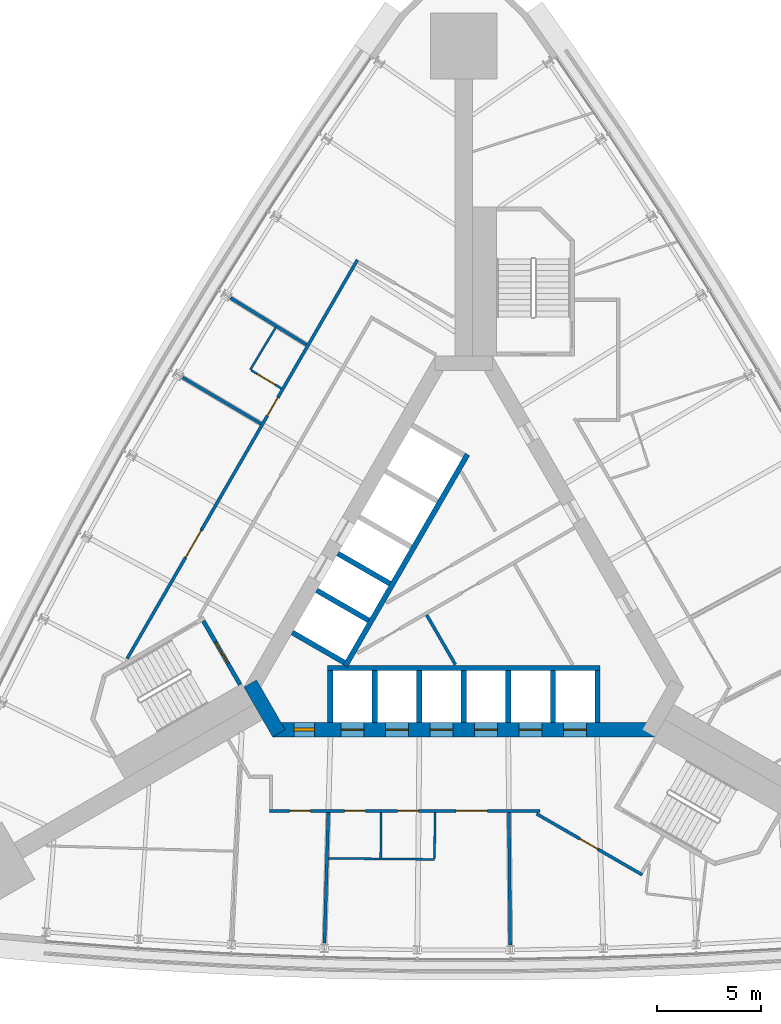
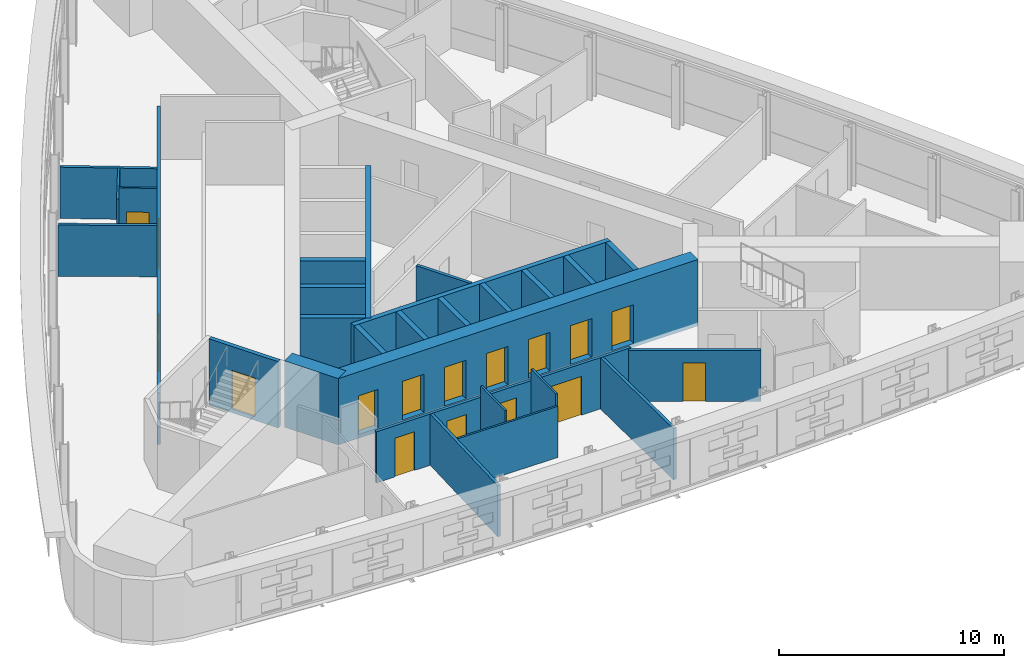
# One storey, part 9 of 14: 28 walls, 16 doors, 16 openings.
"""IFC4 building model written with IfcOpenShell, lengths in metres."""

from ifc_helpers import new_model, si_unit, direction, frame, frame_2d, origin, place, context, subcontext, project, spatial, rectangle, extrude, material, layer, layer_set, type_object, element, fill, save


model = new_model("IFC4")

# Units and contexts
model_context = context("Model", 3, precision=1e-05, world=origin(), true_north=direction((0.0, 1.0)))
body_context = subcontext(model_context, "Body", "Model", "MODEL_VIEW")
ifc_project = project(units=[si_unit("LENGTHUNIT", "METRE"), si_unit("AREAUNIT", "SQUARE_METRE"), si_unit("VOLUMEUNIT", "CUBIC_METRE"), si_unit("PLANEANGLEUNIT", "RADIAN"), si_unit("MASSUNIT", "GRAM", prefix="KILO")], contexts=[model_context])

# Site, building, storey
site_placement = place(None, origin())
site = spatial("IfcSite", under=ifc_project, at=site_placement, CompositionType="ELEMENT")
building_placement = place(site_placement, origin())
building = spatial("IfcBuilding", under=site, at=building_placement, Name="Noor Cloister Tower", CompositionType="ELEMENT")
storey_placement = place(building_placement, frame((0.0, 0.0, 76.199951171875)))
storey = spatial("IfcBuildingStorey", under=building, at=storey_placement, Name="L19", CompositionType="ELEMENT", Elevation=76.199951171875)

# Wall
ifc_material_1 = material(Name="Concrete C30/37", Category="concrete")
ifc_layer_1 = layer(ifc_material_1, 0.14990234375)
ifc_layer_set_1 = layer_set([ifc_layer_1], Name="Core partition 150 C30/37")
wall_type_1 = type_object("IfcWallType", Name="Core partition 150 C30/37", PredefinedType="PARTITIONING", material=ifc_layer_set_1)
wall_1_placement = place(storey_placement, frame((-0.40673828125, -3.439208984375, 0.0), z_axis=(0.0, 0.0, 1.0), x_axis=(-0.500004591975, 0.86602275259, 0.0)))
element("IfcWall", 1, at=wall_1_placement, inside=storey, type_object=wall_type_1, Name="Core room partition L19 4", PredefinedType="PARTITIONING", context=body_context, shape_type="SweptSolid", body=[
    extrude(rectangle(XDim=2.771484375, YDim=0.14990234375, at=frame_2d((1.3857421875, 0.0))), origin(), (0.0, 0.0, 1.0), 3.400146484375),
])

# Wall, openings, doors
ifc_material_2 = material(Name="Concrete C80/95", Category="concrete")
ifc_layer_2 = layer(ifc_material_2, 0.699951171875)
ifc_layer_set_2 = layer_set([ifc_layer_2], Name="Core wall 700 C80/95")
wall_type_2 = type_object("IfcWallType", Name="Core wall 700 C80/95", PredefinedType="SHEAR", material=ifc_layer_set_2)
wall_2_placement = place(storey_placement, frame((-9.228759765625, -6.578125, -0.199951171875), z_axis=(0.0, 0.0, 1.0), x_axis=(1.0, 0.0, 0.0)))
wall_2 = element("IfcWall", 2, at=wall_2_placement, inside=storey, type_object=wall_type_2, Name="Core wall L19 1", PredefinedType="SHEAR", context=body_context, shape_type="SweptSolid", body=[
    extrude(rectangle(XDim=18.45751953125, YDim=0.699951171875, at=frame_2d((9.228759765625, 0.0))), origin(), (0.0, 0.0, 1.0), 3.60009765625),
])
opening_1_placement = place(wall_2_placement, frame((3.3037109375, 0.0, 0.199951171875)))
opening_1 = element("IfcOpeningElement", 3, at=opening_1_placement, cuts=wall_2, Name="Opening L19-LR1", PredefinedType="OPENING", context=body_context, shape_type="SweptSolid", body=[
    extrude(rectangle(XDim=1.10009765625, YDim=2.10009765625, at=frame_2d((0.550048828125, 1.050048828125))), frame((0.0, 0.35986328125, 0.0), z_axis=(0.0, -1.0, 0.0), x_axis=(1.0, 0.0, 0.0)), (0.0, 0.0, 1.0), 0.719970703125),
])
opening_2_placement = place(wall_2_placement, frame((5.45361328125, 0.0, 0.199951171875)))
opening_2 = element("IfcOpeningElement", 4, at=opening_2_placement, cuts=wall_2, Name="Opening L19-LR2", PredefinedType="OPENING", context=body_context, shape_type="SweptSolid", body=[
    extrude(rectangle(XDim=1.10009765625, YDim=2.10009765625, at=frame_2d((0.550048828125, 1.050048828125))), frame((0.0, 0.35986328125, 0.0), z_axis=(0.0, -1.0, 0.0), x_axis=(1.0, 0.0, 0.0)), (0.0, 0.0, 1.0), 0.719970703125),
])
opening_3_placement = place(wall_2_placement, frame((7.603759765625, 0.0, 0.199951171875)))
opening_3 = element("IfcOpeningElement", 5, at=opening_3_placement, cuts=wall_2, Name="Opening L19-LR3", PredefinedType="OPENING", context=body_context, shape_type="SweptSolid", body=[
    extrude(rectangle(XDim=1.10009765625, YDim=2.10009765625, at=frame_2d((0.550048828125, 1.050048828125))), frame((0.0, 0.35986328125, 0.0), z_axis=(0.0, -1.0, 0.0), x_axis=(1.0, 0.0, 0.0)), (0.0, 0.0, 1.0), 0.719970703125),
])
opening_4_placement = place(wall_2_placement, frame((9.753662109375, 0.0, 0.199951171875)))
opening_4 = element("IfcOpeningElement", 6, at=opening_4_placement, cuts=wall_2, Name="Opening L19-LR4", PredefinedType="OPENING", context=body_context, shape_type="SweptSolid", body=[
    extrude(rectangle(XDim=1.10009765625, YDim=2.10009765625, at=frame_2d((0.550048828125, 1.050048828125))), frame((0.0, 0.35986328125, 0.0), z_axis=(0.0, -1.0, 0.0), x_axis=(1.0, 0.0, 0.0)), (0.0, 0.0, 1.0), 0.719970703125),
])
opening_5_placement = place(wall_2_placement, frame((11.90380859375, 0.0, 0.199951171875)))
opening_5 = element("IfcOpeningElement", 7, at=opening_5_placement, cuts=wall_2, Name="Opening L19-LR5", PredefinedType="OPENING", context=body_context, shape_type="SweptSolid", body=[
    extrude(rectangle(XDim=1.10009765625, YDim=2.10009765625, at=frame_2d((0.550048828125, 1.050048828125))), frame((0.0, 0.35986328125, 0.0), z_axis=(0.0, -1.0, 0.0), x_axis=(1.0, 0.0, 0.0)), (0.0, 0.0, 1.0), 0.719970703125),
])
opening_6_placement = place(wall_2_placement, frame((14.0537109375, 0.0, 0.199951171875)))
opening_6 = element("IfcOpeningElement", 8, at=opening_6_placement, cuts=wall_2, Name="Opening L19-LR6", PredefinedType="OPENING", context=body_context, shape_type="SweptSolid", body=[
    extrude(rectangle(XDim=1.10009765625, YDim=2.10009765625, at=frame_2d((0.550048828125, 1.050048828125))), frame((0.0, 0.35986328125, 0.0), z_axis=(0.0, -1.0, 0.0), x_axis=(1.0, 0.0, 0.0)), (0.0, 0.0, 1.0), 0.719970703125),
])
opening_7_placement = place(wall_2_placement, frame((1.02880859375, 0.0, 0.199951171875)))
opening_7 = element("IfcOpeningElement", 9, at=opening_7_placement, cuts=wall_2, Name="Opening L19-907", PredefinedType="OPENING", context=body_context, shape_type="SweptSolid", body=[
    extrude(rectangle(XDim=1.0, YDim=2.10009765625, at=frame_2d((0.5, 1.050048828125))), frame((0.0, 0.35986328125, 0.0), z_axis=(0.0, -1.0, 0.0), x_axis=(1.0, 0.0, 0.0)), (0.0, 0.0, 1.0), 0.719970703125),
])
ifc_material_3 = material(Name="Steel", Category="steel")
door_type_1 = type_object("IfcDoorType", Name="Core door 1000 x 2100 FD60", OperationType="SINGLE_SWING_LEFT", PredefinedType="DOOR", material=ifc_material_3)
door_1_placement = place(opening_7_placement, origin())
door_1 = element("IfcDoor", 10, at=door_1_placement, inside=storey, type_object=door_type_1, Name="Core door 7 L19", OperationType="SINGLE_SWING_LEFT", OverallHeight=2.10009765625, OverallWidth=1.0, PredefinedType="DOOR", context=body_context, shape_type="SweptSolid", body=[
    extrude(rectangle(XDim=1.0, YDim=2.10009765625, at=frame_2d((0.5, 1.050048828125))), frame((0.0, 0.074951171875, 0.0), z_axis=(0.0, -1.0, 0.0), x_axis=(1.0, 0.0, 0.0)), (0.0, 0.0, 1.0), 0.14990234375),
])
fill(opening_7, door_1)
ifc_material_4 = material(Name="Stainless steel", Category="steel")
door_type_2 = type_object("IfcDoorType", Name="Lift landing door 1100 x 2100", OperationType="DOUBLE_DOOR_SLIDING", PredefinedType="DOOR", material=ifc_material_4)
door_2_placement = place(opening_1_placement, origin())
door_2 = element("IfcDoor", 11, at=door_2_placement, inside=storey, type_object=door_type_2, Name="Landing door LR1 L19", OperationType="DOUBLE_DOOR_SLIDING", OverallHeight=2.10009765625, OverallWidth=1.10009765625, PredefinedType="DOOR", context=body_context, shape_type="SweptSolid", body=[
    extrude(rectangle(XDim=1.10009765625, YDim=2.10009765625, at=frame_2d((0.550048828125, 1.050048828125))), frame((0.0, 0.02490234375, 0.0), z_axis=(0.0, -1.0, 0.0), x_axis=(1.0, 0.0, 0.0)), (0.0, 0.0, 1.0), 0.050048828125),
])
fill(opening_1, door_2)
door_3_placement = place(opening_2_placement, origin())
door_3 = element("IfcDoor", 12, at=door_3_placement, inside=storey, type_object=door_type_2, Name="Landing door LR2 L19", OperationType="DOUBLE_DOOR_SLIDING", OverallHeight=2.10009765625, OverallWidth=1.10009765625, PredefinedType="DOOR", context=body_context, shape_type="SweptSolid", body=[
    extrude(rectangle(XDim=1.10009765625, YDim=2.10009765625, at=frame_2d((0.550048828125, 1.050048828125))), frame((0.0, 0.02490234375, 0.0), z_axis=(0.0, -1.0, 0.0), x_axis=(1.0, 0.0, 0.0)), (0.0, 0.0, 1.0), 0.050048828125),
])
fill(opening_2, door_3)
door_4_placement = place(opening_3_placement, origin())
door_4 = element("IfcDoor", 13, at=door_4_placement, inside=storey, type_object=door_type_2, Name="Landing door LR3 L19", OperationType="DOUBLE_DOOR_SLIDING", OverallHeight=2.10009765625, OverallWidth=1.10009765625, PredefinedType="DOOR", context=body_context, shape_type="SweptSolid", body=[
    extrude(rectangle(XDim=1.10009765625, YDim=2.10009765625, at=frame_2d((0.550048828125, 1.050048828125))), frame((0.0, 0.02490234375, 0.0), z_axis=(0.0, -1.0, 0.0), x_axis=(1.0, 0.0, 0.0)), (0.0, 0.0, 1.0), 0.050048828125),
])
fill(opening_3, door_4)
door_5_placement = place(opening_4_placement, origin())
door_5 = element("IfcDoor", 14, at=door_5_placement, inside=storey, type_object=door_type_2, Name="Landing door LR4 L19", OperationType="DOUBLE_DOOR_SLIDING", OverallHeight=2.10009765625, OverallWidth=1.10009765625, PredefinedType="DOOR", context=body_context, shape_type="SweptSolid", body=[
    extrude(rectangle(XDim=1.10009765625, YDim=2.10009765625, at=frame_2d((0.550048828125, 1.050048828125))), frame((0.0, 0.02490234375, 0.0), z_axis=(0.0, -1.0, 0.0), x_axis=(1.0, 0.0, 0.0)), (0.0, 0.0, 1.0), 0.050048828125),
])
fill(opening_4, door_5)
door_6_placement = place(opening_5_placement, origin())
door_6 = element("IfcDoor", 15, at=door_6_placement, inside=storey, type_object=door_type_2, Name="Landing door LR5 L19", OperationType="DOUBLE_DOOR_SLIDING", OverallHeight=2.10009765625, OverallWidth=1.10009765625, PredefinedType="DOOR", context=body_context, shape_type="SweptSolid", body=[
    extrude(rectangle(XDim=1.10009765625, YDim=2.10009765625, at=frame_2d((0.550048828125, 1.050048828125))), frame((0.0, 0.02490234375, 0.0), z_axis=(0.0, -1.0, 0.0), x_axis=(1.0, 0.0, 0.0)), (0.0, 0.0, 1.0), 0.050048828125),
])
fill(opening_5, door_6)
door_7_placement = place(opening_6_placement, origin())
door_7 = element("IfcDoor", 16, at=door_7_placement, inside=storey, type_object=door_type_2, Name="Landing door LR6 L19", OperationType="DOUBLE_DOOR_SLIDING", OverallHeight=2.10009765625, OverallWidth=1.10009765625, PredefinedType="DOOR", context=body_context, shape_type="SweptSolid", body=[
    extrude(rectangle(XDim=1.10009765625, YDim=2.10009765625, at=frame_2d((0.550048828125, 1.050048828125))), frame((0.0, 0.02490234375, 0.0), z_axis=(0.0, -1.0, 0.0), x_axis=(1.0, 0.0, 0.0)), (0.0, 0.0, 1.0), 0.050048828125),
])
fill(opening_6, door_7)

# Wall
wall_3_placement = place(storey_placement, frame((-10.311279296875, -4.353271484375, -0.199951171875), z_axis=(0.0, 0.0, 1.0), x_axis=(0.500042739161, -0.866000726912, 0.0)))
element("IfcWall", 17, at=wall_3_placement, inside=storey, type_object=wall_type_2, Name="Core wall L19 6", PredefinedType="SHEAR", context=body_context, shape_type="SweptSolid", body=[
    extrude(rectangle(XDim=2.771240234375, YDim=0.699951171875, at=frame_2d((1.3857421875, 0.0))), origin(), (0.0, 0.0, 1.0), 3.60009765625),
])

# Wall, openings, doors
ifc_material_5 = material(Name="Gypsum board partition on steel studs, 150 mm", Category="steel")
ifc_layer_3 = layer(ifc_material_5, 0.14990234375)
ifc_layer_set_3 = layer_set([ifc_layer_3], Name="Flat wall 150")
wall_type_3 = type_object("IfcWallType", Name="Flat wall 150", PredefinedType="PARTITIONING", material=ifc_layer_set_3)
wall_4_placement = place(storey_placement, frame((-16.255615234375, -3.149169921875, 0.0), z_axis=(0.0, 0.0, 1.0), x_axis=(0.499999683919, 0.866025586274, 0.0)))
wall_4 = element("IfcWall", 18, at=wall_4_placement, inside=storey, type_object=wall_type_3, Name="Flat wall 150 L19 001", PredefinedType="PARTITIONING", context=body_context, shape_type="SweptSolid", body=[
    extrude(rectangle(XDim=22.23388671875, YDim=0.14990234375, at=frame_2d((11.116943359375, 0.0))), origin(), (0.0, 0.0, 1.0), 2.778076171875),
])
opening_8_placement = place(wall_4_placement, frame((13.551025390625, 0.0, 0.0)))
opening_8 = element("IfcOpeningElement", 19, at=opening_8_placement, cuts=wall_4, Name="Opening L19-001", PredefinedType="OPENING", context=body_context, shape_type="SweptSolid", body=[
    extrude(rectangle(XDim=1.0, YDim=2.10009765625, at=frame_2d((0.5, 1.050048828125))), frame((0.0, 0.0849609375, 0.0), z_axis=(0.0, -1.0, 0.0), x_axis=(1.0, 0.0, 0.0)), (0.0, 0.0, 1.0), 0.169921875),
])
opening_9_placement = place(wall_4_placement, frame((5.646728515625, 0.0, 0.0)))
opening_9 = element("IfcOpeningElement", 20, at=opening_9_placement, cuts=wall_4, Name="Opening L19-002", PredefinedType="OPENING", context=body_context, shape_type="SweptSolid", body=[
    extrude(rectangle(XDim=1.5, YDim=2.10009765625, at=frame_2d((0.75, 1.050048828125))), frame((0.0, 0.0849609375, 0.0), z_axis=(0.0, -1.0, 0.0), x_axis=(1.0, 0.0, 0.0)), (0.0, 0.0, 1.0), 0.169921875),
])
ifc_material_6 = material(Name="Timber door leaf with steel frame", Category="steel")
door_type_3 = type_object("IfcDoorType", Name="Assisted living door 1000", OperationType="NOTDEFINED", PredefinedType="DOOR", material=ifc_material_6)
door_8_placement = place(opening_8_placement, origin())
door_8 = element("IfcDoor", 21, at=door_8_placement, inside=storey, type_object=door_type_3, Name="Assisted living door 1000 L19-001", OperationType="SINGLE_SWING_RIGHT", OverallHeight=2.10009765625, OverallWidth=1.0, PredefinedType="DOOR", context=body_context, shape_type="SweptSolid", body=[
    extrude(rectangle(XDim=1.0, YDim=2.10009765625, at=frame_2d((0.5, 1.050048828125))), frame((0.0, 0.02490234375, 0.0), z_axis=(0.0, -1.0, 0.0), x_axis=(1.0, 0.0, 0.0)), (0.0, 0.0, 1.0), 0.050048828125),
])
fill(opening_8, door_8)
ifc_material_7 = material(Name="Timber door leaf with steel frame", Category="steel")
door_type_4 = type_object("IfcDoorType", Name="Double door 1500 FD60", OperationType="NOTDEFINED", PredefinedType="DOOR", material=ifc_material_7)
door_9_placement = place(opening_9_placement, origin())
door_9 = element("IfcDoor", 22, at=door_9_placement, inside=storey, type_object=door_type_4, Name="Double door 1500 L19-002", OperationType="DOUBLE_DOOR_SINGLE_SWING", OverallHeight=2.10009765625, OverallWidth=1.5, PredefinedType="DOOR", context=body_context, shape_type="SweptSolid", body=[
    extrude(rectangle(XDim=1.5, YDim=2.10009765625, at=frame_2d((0.75, 1.050048828125))), frame((0.0, 0.02490234375, 0.0), z_axis=(0.0, -1.0, 0.0), x_axis=(1.0, 0.0, 0.0)), (0.0, 0.0, 1.0), 0.050048828125),
])
fill(opening_9, door_9)

wall_5_placement = place(storey_placement, frame((3.68896484375, -10.503173828125, 0.0), z_axis=(0.0, 0.0, 1.0), x_axis=(-1.0, 0.0, 0.0)))
wall_5 = element("IfcWall", 23, at=wall_5_placement, inside=storey, type_object=wall_type_3, Name="Flat wall 150 L19 004", PredefinedType="PARTITIONING", context=body_context, shape_type="SweptSolid", body=[
    extrude(rectangle(XDim=13.067626953125, YDim=0.14990234375, at=frame_2d((6.53369140625, 0.0))), origin(), (0.0, 0.0, 1.0), 2.778076171875),
])
opening_10_placement = place(wall_5_placement, frame((11.103271484375, 0.0, 0.0)))
opening_10 = element("IfcOpeningElement", 24, at=opening_10_placement, cuts=wall_5, Name="Opening L19-006", PredefinedType="OPENING", context=body_context, shape_type="SweptSolid", body=[
    extrude(rectangle(XDim=1.0, YDim=2.10009765625, at=frame_2d((0.5, 1.050048828125))), frame((0.0, 0.0849609375, 0.0), z_axis=(0.0, -1.0, 0.0), x_axis=(1.0, 0.0, 0.0)), (0.0, 0.0, 1.0), 0.169921875),
])
opening_11_placement = place(wall_5_placement, frame((8.443115234375, 0.0, 0.0)))
opening_11 = element("IfcOpeningElement", 25, at=opening_11_placement, cuts=wall_5, Name="Opening L19-007", PredefinedType="OPENING", context=body_context, shape_type="SweptSolid", body=[
    extrude(rectangle(XDim=1.0, YDim=2.10009765625, at=frame_2d((0.5, 1.050048828125))), frame((0.0, 0.0849609375, 0.0), z_axis=(0.0, -1.0, 0.0), x_axis=(1.0, 0.0, 0.0)), (0.0, 0.0, 1.0), 0.169921875),
])
opening_12_placement = place(wall_5_placement, frame((5.87890625, 0.0, 0.0)))
opening_12 = element("IfcOpeningElement", 26, at=opening_12_placement, cuts=wall_5, Name="Opening L19-008", PredefinedType="OPENING", context=body_context, shape_type="SweptSolid", body=[
    extrude(rectangle(XDim=1.0, YDim=2.10009765625, at=frame_2d((0.5, 1.050048828125))), frame((0.0, 0.0849609375, 0.0), z_axis=(0.0, -1.0, 0.0), x_axis=(1.0, 0.0, 0.0)), (0.0, 0.0, 1.0), 0.169921875),
])
opening_13_placement = place(wall_5_placement, frame((2.55615234375, 0.0, 0.0)))
opening_13 = element("IfcOpeningElement", 27, at=opening_13_placement, cuts=wall_5, Name="Opening L19-009", PredefinedType="OPENING", context=body_context, shape_type="SweptSolid", body=[
    extrude(rectangle(XDim=1.5, YDim=2.10009765625, at=frame_2d((0.75, 1.050048828125))), frame((0.0, 0.0849609375, 0.0), z_axis=(0.0, -1.0, 0.0), x_axis=(1.0, 0.0, 0.0)), (0.0, 0.0, 1.0), 0.169921875),
])
ifc_material_8 = material(Name="Timber door leaf with steel frame", Category="steel")
door_type_5 = type_object("IfcDoorType", Name="Accessible WC door 1000", OperationType="NOTDEFINED", PredefinedType="DOOR", material=ifc_material_8)
door_10_placement = place(opening_11_placement, origin())
door_10 = element("IfcDoor", 28, at=door_10_placement, inside=storey, type_object=door_type_5, Name="Accessible WC door 1000 L19-007", OperationType="SINGLE_SWING_RIGHT", OverallHeight=2.10009765625, OverallWidth=1.0, PredefinedType="DOOR", context=body_context, shape_type="SweptSolid", body=[
    extrude(rectangle(XDim=1.0, YDim=2.10009765625, at=frame_2d((0.5, 1.050048828125))), frame((0.0, 0.02490234375, 0.0), z_axis=(0.0, -1.0, 0.0), x_axis=(1.0, 0.0, 0.0)), (0.0, 0.0, 1.0), 0.050048828125),
])
fill(opening_11, door_10)
door_11_placement = place(opening_13_placement, origin())
door_11 = element("IfcDoor", 29, at=door_11_placement, inside=storey, type_object=door_type_4, Name="Double door 1500 L19-009", OperationType="DOUBLE_DOOR_SINGLE_SWING", OverallHeight=2.10009765625, OverallWidth=1.5, PredefinedType="DOOR", context=body_context, shape_type="SweptSolid", body=[
    extrude(rectangle(XDim=1.5, YDim=2.10009765625, at=frame_2d((0.75, 1.050048828125))), frame((0.0, 0.02490234375, 0.0), z_axis=(0.0, -1.0, 0.0), x_axis=(1.0, 0.0, 0.0)), (0.0, 0.0, 1.0), 0.050048828125),
])
fill(opening_13, door_11)
ifc_material_9 = material(Name="Timber door leaf with steel frame", Category="steel")
door_type_6 = type_object("IfcDoorType", Name="Flat entrance door 1000 FD60S", OperationType="NOTDEFINED", PredefinedType="DOOR", material=ifc_material_9)
door_12_placement = place(opening_10_placement, origin())
door_12 = element("IfcDoor", 30, at=door_12_placement, inside=storey, type_object=door_type_6, Name="Flat entrance door 1000 L19-006", OperationType="SINGLE_SWING_RIGHT", OverallHeight=2.10009765625, OverallWidth=1.0, PredefinedType="DOOR", context=body_context, shape_type="SweptSolid", body=[
    extrude(rectangle(XDim=1.0, YDim=2.10009765625, at=frame_2d((0.5, 1.050048828125))), frame((0.0, 0.02490234375, 0.0), z_axis=(0.0, -1.0, 0.0), x_axis=(1.0, 0.0, 0.0)), (0.0, 0.0, 1.0), 0.050048828125),
])
fill(opening_10, door_12)
ifc_material_10 = material(Name="Timber door leaf with steel frame", Category="steel")
door_type_7 = type_object("IfcDoorType", Name="Interior door 1000 FD60", OperationType="NOTDEFINED", PredefinedType="DOOR", material=ifc_material_10)
door_13_placement = place(opening_12_placement, origin())
door_13 = element("IfcDoor", 31, at=door_13_placement, inside=storey, type_object=door_type_7, Name="Interior door 1000 L19-008", OperationType="SINGLE_SWING_LEFT", OverallHeight=2.10009765625, OverallWidth=1.0, PredefinedType="DOOR", context=body_context, shape_type="SweptSolid", body=[
    extrude(rectangle(XDim=1.0, YDim=2.10009765625, at=frame_2d((0.5, 1.050048828125))), frame((0.0, 0.02490234375, 0.0), z_axis=(0.0, -1.0, 0.0), x_axis=(1.0, 0.0, 0.0)), (0.0, 0.0, 1.0), 0.050048828125),
])
fill(opening_12, door_13)

# Wall, opening, door
wall_6_placement = place(storey_placement, frame((8.6162109375, -13.58935546875, 0.0), z_axis=(0.0, 0.0, 1.0), x_axis=(-0.866039313704, 0.499975906538, 0.0)))
wall_6 = element("IfcWall", 32, at=wall_6_placement, inside=storey, type_object=wall_type_3, Name="Flat wall 150 L19 006", PredefinedType="PARTITIONING", context=body_context, shape_type="SweptSolid", body=[
    extrude(rectangle(XDim=5.892333984375, YDim=0.14990234375, at=frame_2d((2.9462890625, 0.0))), origin(), (0.0, 0.0, 1.0), 2.778076171875),
])
opening_14_placement = place(wall_6_placement, frame((2.47509765625, 0.0, 0.0)))
opening_14 = element("IfcOpeningElement", 33, at=opening_14_placement, cuts=wall_6, Name="Opening L19-010", PredefinedType="OPENING", context=body_context, shape_type="SweptSolid", body=[
    extrude(rectangle(XDim=1.0, YDim=2.10009765625, at=frame_2d((0.5, 1.050048828125))), frame((0.0, 0.0849609375, 0.0), z_axis=(0.0, -1.0, 0.0), x_axis=(1.0, 0.0, 0.0)), (0.0, 0.0, 1.0), 0.169921875),
])
door_14_placement = place(opening_14_placement, origin())
door_14 = element("IfcDoor", 34, at=door_14_placement, inside=storey, type_object=door_type_6, Name="Flat entrance door 1000 L19-010", OperationType="SINGLE_SWING_RIGHT", OverallHeight=2.10009765625, OverallWidth=1.0, PredefinedType="DOOR", context=body_context, shape_type="SweptSolid", body=[
    extrude(rectangle(XDim=1.0, YDim=2.10009765625, at=frame_2d((0.5, 1.050048828125))), frame((0.0, 0.02490234375, 0.0), z_axis=(0.0, -1.0, 0.0), x_axis=(1.0, 0.0, 0.0)), (0.0, 0.0, 1.0), 0.050048828125),
])
fill(opening_14, door_14)

# Walls
wall_7_placement = place(storey_placement, frame((2.2421875, -16.96826171875, 0.0), z_axis=(0.0, 0.0, 1.0), x_axis=(-0.009628532285, 0.999953644609, 0.0)))
element("IfcWall", 35, at=wall_7_placement, inside=storey, type_object=wall_type_3, Name="Flat wall 150 L19 017", PredefinedType="PARTITIONING", context=body_context, shape_type="SweptSolid", body=[
    extrude(rectangle(XDim=6.3896484375, YDim=0.14990234375, at=frame_2d((3.19482421875, 0.0))), origin(), (0.0, 0.0, 1.0), 2.778076171875),
])
wall_8_placement = place(storey_placement, frame((-6.725830078125, -16.8818359375, 0.0), z_axis=(0.0, 0.0, 1.0), x_axis=(0.028929036321, 0.999581467844, 0.0)))
element("IfcWall", 36, at=wall_8_placement, inside=storey, type_object=wall_type_3, Name="Flat wall 150 L19 018", PredefinedType="PARTITIONING", context=body_context, shape_type="SweptSolid", body=[
    extrude(rectangle(XDim=6.30419921875, YDim=0.14990234375, at=frame_2d((3.152099609375, 0.0))), origin(), (0.0, 0.0, 1.0), 2.778076171875),
])
wall_9_placement = place(storey_placement, frame((-13.573974609375, 10.426025390625, 0.0), z_axis=(0.0, 0.0, 1.0), x_axis=(0.861161165873, -0.508332023772, 0.0)))
element("IfcWall", 37, at=wall_9_placement, inside=storey, type_object=wall_type_3, Name="Flat wall 150 L19 019", PredefinedType="PARTITIONING", context=body_context, shape_type="SweptSolid", body=[
    extrude(rectangle(XDim=4.3896484375, YDim=0.14990234375, at=frame_2d((2.19482421875, 0.0))), origin(), (0.0, 0.0, 1.0), 2.778076171875),
])
wall_10_placement = place(storey_placement, frame((-11.257080078125, 14.265625, 0.0), z_axis=(0.0, 0.0, 1.0), x_axis=(0.851192414307, -0.524853764231, 0.0)))
element("IfcWall", 38, at=wall_10_placement, inside=storey, type_object=wall_type_3, Name="Flat wall 150 L19 020", PredefinedType="PARTITIONING", context=body_context, shape_type="SweptSolid", body=[
    extrude(rectangle(XDim=4.30322265625, YDim=0.14990234375, at=frame_2d((2.151611328125, 0.0))), origin(), (0.0, 0.0, 1.0), 2.778076171875),
])
ifc_material_11 = material(Name="Gypsum board partition on steel studs, 100 mm", Category="steel")
ifc_layer_4 = layer(ifc_material_11, 0.10009765625)
ifc_layer_set_4 = layer_set([ifc_layer_4], Name="Partition 100")
wall_type_4 = type_object("IfcWallType", Name="Partition 100", PredefinedType="PARTITIONING", material=ifc_layer_set_4)
wall_11_placement = place(storey_placement, frame((-6.531494140625, -12.794921875, 0.0), z_axis=(0.0, 0.0, 1.0), x_axis=(0.99995315176, -0.009679580841, 0.0)))
element("IfcWall", 39, at=wall_11_placement, inside=storey, type_object=wall_type_4, Name="Partition 100 L19 027", PredefinedType="PARTITIONING", context=body_context, shape_type="SweptSolid", body=[
    extrude(rectangle(XDim=5.1201171875, YDim=0.10009765625, at=frame_2d((2.56005859375, 0.0))), origin(), (0.0, 0.0, 1.0), 2.778076171875),
])
wall_12_placement = place(storey_placement, frame((-9.0830078125, 12.83642578125, 0.0), z_axis=(0.0, 0.0, 1.0), x_axis=(-0.516596087141, -0.856229223252, 0.0)))
element("IfcWall", 40, at=wall_12_placement, inside=storey, type_object=wall_type_4, Name="Partition 100 L19 033", PredefinedType="PARTITIONING", context=body_context, shape_type="SweptSolid", body=[
    extrude(rectangle(XDim=2.374267578125, YDim=0.10009765625, at=frame_2d((1.18701171875, 0.0))), origin(), (0.0, 0.0, 1.0), 2.778076171875),
])
wall_13_placement = place(storey_placement, frame((-1.4111328125, -12.79443359375, 0.0), z_axis=(0.0, 0.0, 1.0), x_axis=(0.009585280215, 0.999954060146, 0.0)))
element("IfcWall", 41, at=wall_13_placement, inside=storey, type_object=wall_type_4, Name="Partition 100 L19 034", PredefinedType="PARTITIONING", context=body_context, shape_type="SweptSolid", body=[
    extrude(rectangle(XDim=2.2158203125, YDim=0.10009765625, at=frame_2d((1.10791015625, 0.0))), origin(), (0.0, 0.0, 1.0), 3.400146484375),
])
wall_14_placement = place(storey_placement, frame((-4.010986328125, -12.769287109375, 0.0), z_axis=(0.0, 0.0, 1.0), x_axis=(0.009583868309, 0.99995407368, 0.0)))
element("IfcWall", 42, at=wall_14_placement, inside=storey, type_object=wall_type_4, Name="Partition 100 L19 035", PredefinedType="PARTITIONING", context=body_context, shape_type="SweptSolid", body=[
    extrude(rectangle(XDim=2.190673828125, YDim=0.10009765625, at=frame_2d((1.09521484375, 0.0))), origin(), (0.0, 0.0, 1.0), 3.400146484375),
])

# Wall, opening, door
wall_15_placement = place(storey_placement, frame((-10.266845703125, 10.777587890625, 0.0), z_axis=(0.0, 0.0, 1.0), x_axis=(0.856198606516, -0.516646829275, 0.0)))
wall_15 = element("IfcWall", 43, at=wall_15_placement, inside=storey, type_object=wall_type_4, Name="Partition 100 L19 037", PredefinedType="PARTITIONING", context=body_context, shape_type="SweptSolid", body=[
    extrude(rectangle(XDim=1.701171875, YDim=0.10009765625, at=frame_2d((0.8505859375, 0.0))), origin(), (0.0, 0.0, 1.0), 3.400146484375),
])
opening_15_placement = place(wall_15_placement, frame((0.34423828125, 0.0, 0.0)))
opening_15 = element("IfcOpeningElement", 44, at=opening_15_placement, cuts=wall_15, Name="Opening L19-023", PredefinedType="OPENING", context=body_context, shape_type="SweptSolid", body=[
    extrude(rectangle(XDim=1.0, YDim=2.10009765625, at=frame_2d((0.5, 1.050048828125))), frame((0.0, 0.06005859375, 0.0), z_axis=(0.0, -1.0, 0.0), x_axis=(1.0, 0.0, 0.0)), (0.0, 0.0, 1.0), 0.1201171875),
])
ifc_material_12 = material(Name="Timber door leaf with steel frame", Category="steel")
door_type_8 = type_object("IfcDoorType", Name="Interior door 1000", OperationType="NOTDEFINED", PredefinedType="DOOR", material=ifc_material_12)
door_15_placement = place(opening_15_placement, origin())
door_15 = element("IfcDoor", 45, at=door_15_placement, inside=storey, type_object=door_type_8, Name="Interior door 1000 L19-023", OperationType="SINGLE_SWING_LEFT", OverallHeight=2.10009765625, OverallWidth=1.0, PredefinedType="DOOR", context=body_context, shape_type="SweptSolid", body=[
    extrude(rectangle(XDim=1.0, YDim=2.10009765625, at=frame_2d((0.5, 1.050048828125))), frame((0.0, 0.02490234375, 0.0), z_axis=(0.0, -1.0, 0.0), x_axis=(1.0, 0.0, 0.0)), (0.0, 0.0, 1.0), 0.050048828125),
])
fill(opening_15, door_15)

# Walls
ifc_material_13 = material(Name="Concrete C80/95", Category="concrete")
ifc_layer_5 = layer(ifc_material_13, 0.25)
ifc_layer_set_5 = layer_set([ifc_layer_5], Name="Shaft wall 250 C80/95")
wall_type_5 = type_object("IfcWallType", Name="Shaft wall 250 C80/95", PredefinedType="PARTITIONING", material=ifc_layer_set_5)
for number, where, z_axis, x_axis, name in (
    (46, (-6.449951171875, -6.228271484375, -0.199951171875), (0.0, 0.0, 1.0), (0.0, 1.0, 0.0), "Lift shaft wall L19 S 1"),
    (47, (-4.300048828125, -6.228271484375, -0.199951171875), (0.0, 0.0, 1.0), (0.0, 1.0, 0.0), "Lift shaft wall L19 S 2"),
    (48, (-2.14990234375, -6.228271484375, -0.199951171875), (0.0, 0.0, 1.0), (0.0, 1.0, 0.0), "Lift shaft wall L19 S 3"),
    (49, (0.0, -6.228271484375, -0.199951171875), (0.0, 0.0, 1.0), (0.0, 1.0, 0.0), "Lift shaft wall L19 S 4"),
    (50, (2.14990234375, -6.228271484375, -0.199951171875), (0.0, 0.0, 1.0), (0.0, 1.0, 0.0), "Lift shaft wall L19 S 5"),
    (51, (4.300048828125, -6.228271484375, -0.199951171875), (0.0, 0.0, 1.0), (0.0, 1.0, 0.0), "Lift shaft wall L19 S 6"),
    (52, (6.449951171875, -6.228271484375, -0.199951171875), (0.0, 0.0, 1.0), (0.0, 1.0, 0.0), "Lift shaft wall L19 S 7"),
):
    element("IfcWall", number, at=place(storey_placement, frame(where, z_axis=z_axis, x_axis=x_axis)), inside=storey, type_object=wall_type_5, Name=name, PredefinedType="PARTITIONING", context=body_context, shape_type="SweptSolid", body=[
        extrude(rectangle(XDim=2.5, YDim=0.25, at=frame_2d((1.25, 0.0))), origin(), (0.0, 0.0, 1.0), 3.60009765625),
    ])
wall_16_placement = place(storey_placement, frame((-6.574951171875, -3.603271484375, 0.0), z_axis=(0.0, 0.0, 1.0), x_axis=(1.0, 0.0, 0.0)))
element("IfcWall", 53, at=wall_16_placement, inside=storey, type_object=wall_type_5, Name="Lift shaft back wall L19 S", PredefinedType="PARTITIONING", context=body_context, shape_type="SweptSolid", body=[
    extrude(rectangle(XDim=13.14990234375, YDim=0.25, at=frame_2d((6.574951171875, 0.0))), origin(), (0.0, 0.0, 1.0), 3.400146484375),
])
for number, where, z_axis, x_axis, name in (
    (54, (-6.081298828125, 1.92333984375, -0.199951171875), (0.0, 0.0, 1.0), (0.866032775405, -0.499987231761, 0.0), "Lift shaft wall L19 NW 4"),
    (55, (-7.106201171875, 0.14794921875, -0.199951171875), (0.0, 0.0, 1.0), (0.866032775405, -0.499987231761, 0.0), "Lift shaft wall L19 NW 5"),
    (56, (-8.28125, -1.88720703125, -0.199951171875), (0.0, 0.0, 1.0), (0.866032775405, -0.499987231761, 0.0), "Lift shaft wall L19 NW 6"),
):
    element("IfcWall", number, at=place(storey_placement, frame(where, z_axis=z_axis, x_axis=x_axis)), inside=storey, type_object=wall_type_5, Name=name, PredefinedType="PARTITIONING", context=body_context, shape_type="SweptSolid", body=[
        extrude(rectangle(XDim=2.89990234375, YDim=0.25, at=frame_2d((1.449951171875, 0.0))), origin(), (0.0, 0.0, 1.0), 3.60009765625),
    ])
wall_17_placement = place(storey_placement, frame((0.176025390625, 6.711181640625, 0.0), z_axis=(0.0, 0.0, 1.0), x_axis=(-0.500004227369, -0.866022963098, 0.0)))
element("IfcWall", 57, at=wall_17_placement, inside=storey, type_object=wall_type_5, Name="Lift shaft back wall L19 NW", PredefinedType="PARTITIONING", context=body_context, shape_type="SweptSolid", body=[
    extrude(rectangle(XDim=11.80029296875, YDim=0.25, at=frame_2d((5.900146484375, 0.0))), origin(), (0.0, 0.0, 1.0), 3.400146484375),
])

# Wall, opening, door
ifc_material_14 = material(Name="Concrete C80/95", Category="concrete")
ifc_layer_6 = layer(ifc_material_14, 0.199951171875)
ifc_layer_set_6 = layer_set([ifc_layer_6], Name="Stair enclosure wall 200 C80/95")
wall_type_6 = type_object("IfcWallType", Name="Stair enclosure wall 200 C80/95", PredefinedType="SHEAR", material=ifc_layer_set_6)
wall_18_placement = place(storey_placement, frame((-12.575927734375, -1.33056640625, -0.199951171875), z_axis=(0.0, 0.0, 1.0), x_axis=(0.499970499736, -0.8660424351, 0.0)))
wall_18 = element("IfcWall", 58, at=wall_18_placement, inside=storey, type_object=wall_type_6, Name="Stair enclosure wall ST2 L19 near end", PredefinedType="SHEAR", context=body_context, shape_type="SweptSolid", body=[
    extrude(rectangle(XDim=3.550048828125, YDim=0.199951171875, at=frame_2d((1.77490234375, 0.0))), origin(), (0.0, 0.0, 1.0), 3.60009765625),
])
opening_16_placement = place(wall_18_placement, frame((1.175048828125, 0.0, 0.199951171875)))
opening_16 = element("IfcOpeningElement", 59, at=opening_16_placement, cuts=wall_18, Name="Opening L19-ST2L", PredefinedType="OPENING", context=body_context, shape_type="SweptSolid", body=[
    extrude(rectangle(XDim=1.199951171875, YDim=2.10009765625, at=frame_2d((0.60009765625, 1.050048828125))), frame((0.0, 0.10986328125, 0.0), z_axis=(0.0, -1.0, 0.0), x_axis=(1.0, 0.0, 0.0)), (0.0, 0.0, 1.0), 0.219970703125),
])
ifc_material_15 = material(Name="Steel", Category="steel")
door_type_9 = type_object("IfcDoorType", Name="Stair door 1200 x 2100 FD120", OperationType="SINGLE_SWING_LEFT", PredefinedType="DOOR", material=ifc_material_15)
door_16_placement = place(opening_16_placement, origin())
door_16 = element("IfcDoor", 60, at=door_16_placement, inside=storey, type_object=door_type_9, Name="Stair door ST2 L19", OperationType="SINGLE_SWING_RIGHT", OverallHeight=2.10009765625, OverallWidth=1.199951171875, PredefinedType="DOOR", context=body_context, shape_type="SweptSolid", body=[
    extrude(rectangle(XDim=1.199951171875, YDim=2.10009765625, at=frame_2d((0.60009765625, 1.050048828125))), frame((0.0, 0.02490234375, 0.0), z_axis=(0.0, -1.0, 0.0), x_axis=(1.0, 0.0, 0.0)), (0.0, 0.0, 1.0), 0.050048828125),
])
fill(opening_16, door_16)

save(model, "model.ifc")
